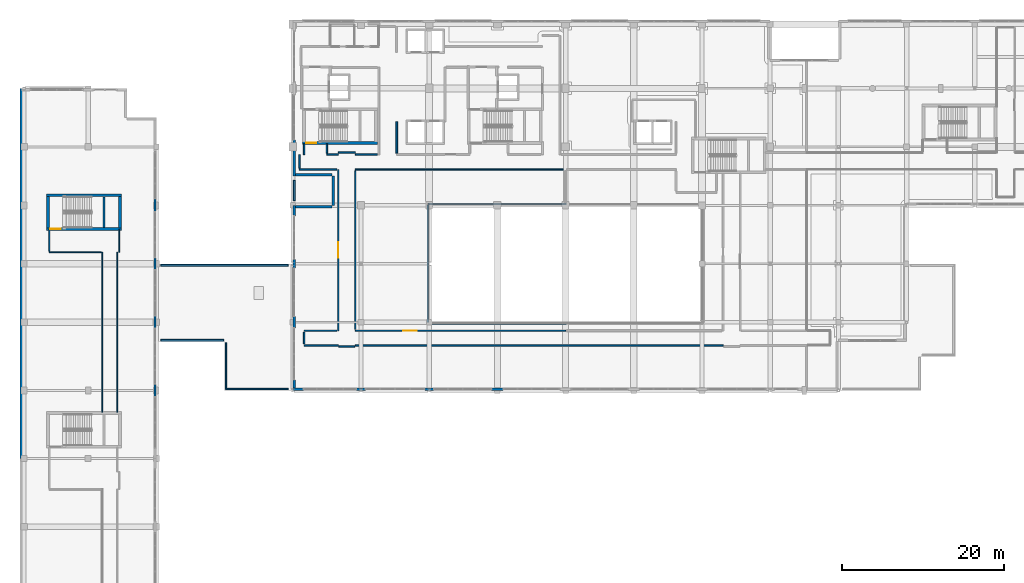
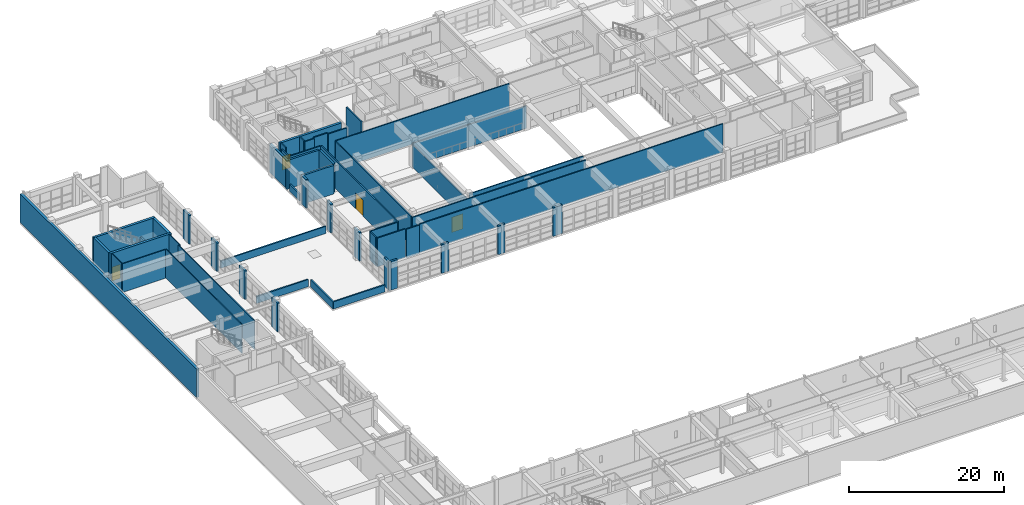
# One storey, part 107 of 123: 53 walls, 4 doors, 4 openings.
"""IFC4 building model written with IfcOpenShell, lengths in metres."""

from ifc_helpers import new_model, si_unit, direction, frame, frame_2d, origin, place, context, subcontext, project, spatial, rectangle, extrude, material, layer, layer_set, type_object, element, fill, save


model = new_model("IFC4")

# Units and contexts
model_context = context("Model", 3, precision=1e-05, world=origin(), true_north=direction((0.0, 1.0)))
body_context = subcontext(model_context, "Body", "Model", "MODEL_VIEW")
ifc_project = project(units=[si_unit("LENGTHUNIT", "METRE"), si_unit("AREAUNIT", "SQUARE_METRE"), si_unit("VOLUMEUNIT", "CUBIC_METRE"), si_unit("PLANEANGLEUNIT", "RADIAN"), si_unit("MASSUNIT", "GRAM", prefix="KILO")], contexts=[model_context])

# Site, building, storey
site_placement = place(None, origin())
site = spatial("IfcSite", under=ifc_project, at=site_placement, CompositionType="ELEMENT")
building_placement = place(site_placement, origin())
building = spatial("IfcBuilding", under=site, at=building_placement, Name="Quendrovan Civic Courthouse", CompositionType="ELEMENT")
storey_placement = place(building_placement, frame((0.0, 0.0, 5.39990234375)))
storey = spatial("IfcBuildingStorey", under=building, at=storey_placement, Name="L02", CompositionType="ELEMENT", Elevation=5.39990234375)

# Wall, opening, door
ifc_material_1 = material(Name="Fire-rated gypsum stud partition")
ifc_layer_1 = layer(ifc_material_1, 0.159912109375, Name="Fire-rated gypsum stud partition")
ifc_layer_set_1 = layer_set([ifc_layer_1], Name="Fire-rated gypsum stud partition")
wall_type_1 = type_object("IfcWallType", Name="WL-COR-160", PredefinedType="PARTITIONING", material=ifc_layer_set_1)
wall_1_placement = place(storey_placement, frame((67.199951171875, 72.14990234375, 0.0), z_axis=(0.0, 0.0, 1.0), x_axis=(-1.0, 0.0, 0.0)))
wall_1 = element("IfcWall", 1, at=wall_1_placement, inside=storey, type_object=wall_type_1, Name="L02 Family and Probate Case Registry Partition 0291", PredefinedType="PARTITIONING", context=body_context, shape_type="SweptSolid", body=[
    extrude(rectangle(XDim=25.89990234375, YDim=0.159912109375, at=frame_2d((12.949951171875, 0.0))), origin(), (0.0, 0.0, 1.0), 4.52001953125),
])
opening_1_placement = place(wall_1_placement, frame((18.345947265625, 0.0, 0.0)))
opening_1 = element("IfcOpeningElement", 2, at=opening_1_placement, cuts=wall_1, Name="Opening D-L02-049", PredefinedType="OPENING", context=body_context, shape_type="SweptSolid", body=[
    extrude(rectangle(XDim=1.639892578125, YDim=2.419921875, at=frame_2d((0.81982421875, 1.2099609375))), frame((0.0, 0.08984375, 0.0), z_axis=(0.0, -1.0, 0.0), x_axis=(1.0, 0.0, 0.0)), (0.0, 0.0, 1.0), 0.179931640625),
])
ifc_material_2 = material(Name="Bronze-anodised aluminium glazed door", Category="aluminium")
door_type_1 = type_object("IfcDoorType", Name="DR-REG-1640", OperationType="NOTDEFINED", PredefinedType="DOOR", material=ifc_material_2)
door_1_placement = place(opening_1_placement, origin())
door_1 = element("IfcDoor", 3, at=door_1_placement, inside=storey, type_object=door_type_1, Name="L02 Family and Probate Case Registry Door D-L02-049", OperationType="SINGLE_SWING_RIGHT", OverallHeight=2.419921875, OverallWidth=1.639892578125, PredefinedType="DOOR", context=body_context, shape_type="SweptSolid", body=[
    extrude(rectangle(XDim=1.639892578125, YDim=2.419921875, at=frame_2d((0.81982421875, 1.2099609375))), frame((0.0, 0.02490234375, 0.0), z_axis=(0.0, -1.0, 0.0), x_axis=(1.0, 0.0, 0.0)), (0.0, 0.0, 1.0), 0.050048828125),
])
fill(opening_1, door_1)

# Walls
wall_2_placement = place(storey_placement, frame((41.300048828125, 92.0, 0.0), z_axis=(0.0, 0.0, 1.0), x_axis=(1.0, 0.0, 0.0)))
element("IfcWall", 4, at=wall_2_placement, inside=storey, type_object=wall_type_1, Name="L02 Family and Probate Case Registry Partition 0292", PredefinedType="PARTITIONING", context=body_context, shape_type="SweptSolid", body=[
    extrude(rectangle(XDim=25.89990234375, YDim=0.159912109375, at=frame_2d((12.949951171875, 0.0))), origin(), (0.0, 0.0, 1.0), 4.52001953125),
])
wall_3_placement = place(storey_placement, frame((41.300048828125, 72.31005859375, 0.0), z_axis=(0.0, 0.0, 1.0), x_axis=(0.0, 1.0, 0.0)))
element("IfcWall", 5, at=wall_3_placement, inside=storey, type_object=wall_type_1, Name="L02 Family and Probate Case Registry Partition 0305", PredefinedType="PARTITIONING", context=body_context, shape_type="SweptSolid", body=[
    extrude(rectangle(XDim=19.530029296875, YDim=0.159912109375, at=frame_2d((9.76513671875, 0.0))), origin(), (0.0, 0.0, 1.0), 4.52001953125),
])
wall_4_placement = place(storey_placement, frame((67.300048828125, 87.760009765625, 0.0), z_axis=(0.0, 0.0, 1.0), x_axis=(-1.0, 0.0, 0.0)))
element("IfcWall", 6, at=wall_4_placement, inside=storey, type_object=wall_type_1, Name="L02 Family and Probate Case Registry Partition 0311", PredefinedType="PARTITIONING", context=body_context, shape_type="SweptSolid", body=[
    extrude(rectangle(XDim=17.0, YDim=0.159912109375, at=frame_2d((8.5, 0.0))), origin(), (0.0, 0.0, 1.0), 3.550048828125),
])
wall_5_placement = place(storey_placement, frame((50.300048828125, 73.0400390625, 0.0), z_axis=(0.0, 0.0, 1.0), x_axis=(1.0, 0.0, 0.0)))
element("IfcWall", 7, at=wall_5_placement, inside=storey, type_object=wall_type_1, Name="L02 Family and Probate Case Registry Partition 0312", PredefinedType="PARTITIONING", context=body_context, shape_type="SweptSolid", body=[
    extrude(rectangle(XDim=17.0, YDim=0.159912109375, at=frame_2d((8.5, 0.0))), origin(), (0.0, 0.0, 1.0), 4.52001953125),
])
wall_6_placement = place(storey_placement, frame((50.239990234375, 87.61181640625, 0.0), z_axis=(0.0, 0.0, 1.0), x_axis=(0.0, -1.0, 0.0)))
element("IfcWall", 8, at=wall_6_placement, inside=storey, type_object=wall_type_1, Name="L02 Family and Probate Case Registry Partition 0321", PredefinedType="PARTITIONING", context=body_context, shape_type="SweptSolid", body=[
    extrude(rectangle(XDim=14.423583984375, YDim=0.159912109375, at=frame_2d((7.2119140625, 0.0))), origin(), (0.0, 0.0, 1.0), 3.550048828125),
])

# Wall, opening, door
ifc_material_3 = material(Name="Concrete C45/55", Category="concrete")
ifc_layer_2 = layer(ifc_material_3, 0.35009765625, Name="Concrete C45/55")
ifc_layer_set_2 = layer_set([ifc_layer_2], Name="Concrete C45/55")
wall_type_2 = type_object("IfcWallType", Name="WL-CORE-350", PredefinedType="SHEAR", material=ifc_layer_set_2)
wall_7_placement = place(storey_placement, frame((34.7900390625, 95.264892578125, 0.0), z_axis=(0.0, 0.0, 1.0), x_axis=(1.0, 0.0, 0.0)))
wall_7 = element("IfcWall", 9, at=wall_7_placement, inside=storey, type_object=wall_type_2, Name="L02 Core Shear Wall ST1-S", PredefinedType="SHEAR", context=body_context, shape_type="SweptSolid", body=[
    extrude(rectangle(XDim=9.219970703125, YDim=0.35009765625, at=frame_2d((4.60986328125, 0.0))), origin(), (0.0, 0.0, 1.0), 4.52001953125),
])
opening_2_placement = place(wall_7_placement, frame((0.449951171875, 0.0, 0.0)))
opening_2 = element("IfcOpeningElement", 10, at=opening_2_placement, cuts=wall_7, Name="Opening DS-ST1-L02", PredefinedType="OPENING", context=body_context, shape_type="SweptSolid", body=[
    extrude(rectangle(XDim=1.25, YDim=2.199951171875, at=frame_2d((0.625, 1.10009765625))), frame((0.0, 0.18505859375, 0.0), z_axis=(0.0, -1.0, 0.0), x_axis=(1.0, 0.0, 0.0)), (0.0, 0.0, 1.0), 0.3701171875),
])
ifc_material_4 = material(Name="Painted galvanized hollow-metal steel", Category="steel")
door_type_2 = type_object("IfcDoorType", Name="DR-STAIR-1250", OperationType="NOTDEFINED", PredefinedType="DOOR", material=ifc_material_4)
door_2_placement = place(opening_2_placement, origin())
door_2 = element("IfcDoor", 11, at=door_2_placement, inside=storey, type_object=door_type_2, Name="L02 Exit Stair ST1 Fire Door", OperationType="SINGLE_SWING_RIGHT", OverallHeight=2.199951171875, OverallWidth=1.25, PredefinedType="DOOR", context=body_context, shape_type="SweptSolid", body=[
    extrude(rectangle(XDim=1.25, YDim=2.199951171875, at=frame_2d((0.625, 1.10009765625))), frame((0.0, 0.02490234375, 0.0), z_axis=(0.0, -1.0, 0.0), x_axis=(1.0, 0.0, 0.0)), (0.0, 0.0, 1.0), 0.050048828125),
])
fill(opening_2, door_2)

wall_8_placement = place(storey_placement, frame((3.2900390625, 84.6650390625, 0.0), z_axis=(0.0, 0.0, 1.0), x_axis=(1.0, 0.0, 0.0)))
wall_8 = element("IfcWall", 12, at=wall_8_placement, inside=storey, type_object=wall_type_2, Name="L02 Core Shear Wall ST8-S", PredefinedType="SHEAR", context=body_context, shape_type="SweptSolid", body=[
    extrude(rectangle(XDim=9.219970703125, YDim=0.35009765625, at=frame_2d((4.60986328125, 0.0))), origin(), (0.0, 0.0, 1.0), 4.52001953125),
])
opening_3_placement = place(wall_8_placement, frame((0.449951171875, 0.0, 0.0)))
opening_3 = element("IfcOpeningElement", 13, at=opening_3_placement, cuts=wall_8, Name="Opening DS-ST8-L02", PredefinedType="OPENING", context=body_context, shape_type="SweptSolid", body=[
    extrude(rectangle(XDim=1.25, YDim=2.199951171875, at=frame_2d((0.625, 1.10009765625))), frame((0.0, 0.18505859375, 0.0), z_axis=(0.0, -1.0, 0.0), x_axis=(1.0, 0.0, 0.0)), (0.0, 0.0, 1.0), 0.3701171875),
])
door_3_placement = place(opening_3_placement, origin())
door_3 = element("IfcDoor", 14, at=door_3_placement, inside=storey, type_object=door_type_2, Name="L02 Exit Stair ST8 Fire Door", OperationType="SINGLE_SWING_LEFT", OverallHeight=2.199951171875, OverallWidth=1.25, PredefinedType="DOOR", context=body_context, shape_type="SweptSolid", body=[
    extrude(rectangle(XDim=1.25, YDim=2.199951171875, at=frame_2d((0.625, 1.10009765625))), frame((0.0, 0.02490234375, 0.0), z_axis=(0.0, -1.0, 0.0), x_axis=(1.0, 0.0, 0.0)), (0.0, 0.0, 1.0), 0.050048828125),
])
fill(opening_3, door_3)

# Walls
wall_9_placement = place(storey_placement, frame((12.510009765625, 88.8349609375, 0.0), z_axis=(0.0, 0.0, 1.0), x_axis=(-1.0, 0.0, 0.0)))
element("IfcWall", 15, at=wall_9_placement, inside=storey, type_object=wall_type_2, Name="L02 Core Shear Wall ST8-N", PredefinedType="SHEAR", context=body_context, shape_type="SweptSolid", body=[
    extrude(rectangle(XDim=9.219970703125, YDim=0.35009765625, at=frame_2d((4.60986328125, 0.0))), origin(), (0.0, 0.0, 1.0), 4.52001953125),
])
for number, where, z_axis, x_axis, name in (
    (16, (3.465087890625, 84.800048828125, 0.0), (0.0, 0.0, 1.0), (0.0, 1.0, 0.0), "L02 Core Shear Wall ST8-W"),
    (17, (12.3349609375, 88.699951171875, 0.0), (0.0, 0.0, 1.0), (0.0, -1.0, 0.0), "L02 Core Shear Wall ST8-E"),
):
    element("IfcWall", number, at=place(storey_placement, frame(where, z_axis=z_axis, x_axis=x_axis)), inside=storey, type_object=wall_type_2, Name=name, PredefinedType="SHEAR", context=body_context, shape_type="SweptSolid", body=[
        extrude(rectangle(XDim=3.89990234375, YDim=0.35009765625, at=frame_2d((1.949951171875, 0.0))), origin(), (0.0, 0.0, 1.0), 4.52001953125),
    ])
ifc_material_5 = material(Name="Acoustic gypsum and mineral wool partition")
ifc_layer_3 = layer(ifc_material_5, 0.179931640625, Name="Acoustic gypsum and mineral wool partition")
ifc_layer_set_3 = layer_set([ifc_layer_3], Name="Acoustic gypsum and mineral wool partition")
wall_type_3 = type_object("IfcWallType", Name="WL-CRT-AC180", PredefinedType="PARTITIONING", material=ifc_layer_set_3)
wall_10_placement = place(storey_placement, frame((41.300048828125, 70.35009765625, 0.0), z_axis=(0.0, 0.0, 1.0), x_axis=(1.0, 0.0, 0.0)))
element("IfcWall", 18, at=wall_10_placement, inside=storey, type_object=wall_type_3, Name="L02 Trial Courtroom Partition 0289", PredefinedType="PARTITIONING", context=body_context, shape_type="SweptSolid", body=[
    extrude(rectangle(XDim=45.300048828125, YDim=0.179931640625, at=frame_2d((22.64990234375, 0.0))), origin(), (0.0, 0.0, 1.0), 4.52001953125),
])

# Wall, opening, door
wall_11_placement = place(storey_placement, frame((39.199951171875, 92.0, 0.0), z_axis=(0.0, 0.0, 1.0), x_axis=(0.0, -1.0, 0.0)))
wall_11 = element("IfcWall", 19, at=wall_11_placement, inside=storey, type_object=wall_type_3, Name="L02 Trial Courtroom Partition 0303", PredefinedType="PARTITIONING", context=body_context, shape_type="SweptSolid", body=[
    extrude(rectangle(XDim=19.85009765625, YDim=0.179931640625, at=frame_2d((9.925048828125, 0.0))), origin(), (0.0, 0.0, 1.0), 4.52001953125),
])
opening_4_placement = place(wall_11_placement, frame((8.965087890625, 0.0, 0.0)))
opening_4 = element("IfcOpeningElement", 20, at=opening_4_placement, cuts=wall_11, Name="Opening D-L02-047", PredefinedType="OPENING", context=body_context, shape_type="SweptSolid", body=[
    extrude(rectangle(XDim=1.919921875, YDim=2.550048828125, at=frame_2d((0.9599609375, 1.27490234375))), frame((0.0, 0.10009765625, 0.0), z_axis=(0.0, -1.0, 0.0), x_axis=(1.0, 0.0, 0.0)), (0.0, 0.0, 1.0), 0.199951171875),
])
ifc_material_6 = material(Name="Acoustic solid Western Red Cedar timber door", Category="wood")
door_type_3 = type_object("IfcDoorType", Name="DR-CRT-DBL1920", OperationType="NOTDEFINED", PredefinedType="DOOR", material=ifc_material_6)
door_4_placement = place(opening_4_placement, origin())
door_4 = element("IfcDoor", 21, at=door_4_placement, inside=storey, type_object=door_type_3, Name="L02 Trial Courtroom Door D-L02-047", OperationType="SINGLE_SWING_RIGHT", OverallHeight=2.550048828125, OverallWidth=1.919921875, PredefinedType="DOOR", context=body_context, shape_type="SweptSolid", body=[
    extrude(rectangle(XDim=1.919921875, YDim=2.550048828125, at=frame_2d((0.9599609375, 1.27490234375))), frame((0.0, 0.02490234375, 0.0), z_axis=(0.0, -1.0, 0.0), x_axis=(1.0, 0.0, 0.0)), (0.0, 0.0, 1.0), 0.050048828125),
])
fill(opening_4, door_4)

# Walls
wall_12_placement = place(storey_placement, frame((34.39990234375, 92.0, 0.0), z_axis=(0.0, 0.0, 1.0), x_axis=(1.0, 0.0, 0.0)))
element("IfcWall", 22, at=wall_12_placement, inside=storey, type_object=wall_type_3, Name="L02 Trial Courtroom Partition 0358", PredefinedType="PARTITIONING", context=body_context, shape_type="SweptSolid", body=[
    extrude(rectangle(XDim=4.630126953125, YDim=0.179931640625, at=frame_2d((2.31494140625, 0.0))), origin(), (0.0, 0.0, 1.0), 4.52001953125),
])
wall_13_placement = place(storey_placement, frame((39.030029296875, 72.14990234375, 0.0), z_axis=(0.0, 0.0, 1.0), x_axis=(-1.0, 0.0, 0.0)))
element("IfcWall", 23, at=wall_13_placement, inside=storey, type_object=wall_type_3, Name="L02 Trial Courtroom Partition 0366", PredefinedType="PARTITIONING", context=body_context, shape_type="SweptSolid", body=[
    extrude(rectangle(XDim=4.030029296875, YDim=0.179931640625, at=frame_2d((2.01513671875, 0.0))), origin(), (0.0, 0.0, 1.0), 4.52001953125),
])
wall_14_placement = place(storey_placement, frame((35.0, 70.35009765625, 0.0), z_axis=(0.0, 0.0, 1.0), x_axis=(1.0, 0.0, 0.0)))
element("IfcWall", 24, at=wall_14_placement, inside=storey, type_object=wall_type_3, Name="L02 Trial Courtroom Partition 0367", PredefinedType="PARTITIONING", context=body_context, shape_type="SweptSolid", body=[
    extrude(rectangle(XDim=4.199951171875, YDim=0.179931640625, at=frame_2d((2.10009765625, 0.0))), origin(), (0.0, 0.0, 1.0), 4.52001953125),
])
wall_15_placement = place(storey_placement, frame((44.030029296875, 93.85009765625, 0.0), z_axis=(0.0, 0.0, 1.0), x_axis=(-1.0, 0.0, 0.0)))
element("IfcWall", 25, at=wall_15_placement, inside=storey, type_object=wall_type_3, Name="L02 Trial Courtroom Partition 0379", PredefinedType="PARTITIONING", context=body_context, shape_type="SweptSolid", body=[
    extrude(rectangle(XDim=2.72998046875, YDim=0.179931640625, at=frame_2d((1.364990234375, 0.0))), origin(), (0.0, 0.0, 1.0), 4.52001953125),
])
wall_16_placement = place(storey_placement, frame((41.300048828125, 94.10009765625, 0.0), z_axis=(0.0, 0.0, 1.0), x_axis=(-1.0, 0.0, 0.0)))
element("IfcWall", 26, at=wall_16_placement, inside=storey, type_object=wall_type_3, Name="L02 Trial Courtroom Partition 0404", PredefinedType="PARTITIONING", context=body_context, shape_type="SweptSolid", body=[
    extrude(rectangle(XDim=2.10009765625, YDim=0.179931640625, at=frame_2d((1.050048828125, 0.0))), origin(), (0.0, 0.0, 1.0), 4.52001953125),
])
wall_17_placement = place(storey_placement, frame((39.280029296875, 70.199951171875, 0.0), z_axis=(0.0, 0.0, 1.0), x_axis=(1.0, 0.0, 0.0)))
element("IfcWall", 27, at=wall_17_placement, inside=storey, type_object=wall_type_3, Name="L02 Trial Courtroom Partition 0405", PredefinedType="PARTITIONING", context=body_context, shape_type="SweptSolid", body=[
    extrude(rectangle(XDim=1.93994140625, YDim=0.179931640625, at=frame_2d((0.969970703125, 0.0))), origin(), (0.0, 0.0, 1.0), 4.52001953125),
])
wall_18_placement = place(storey_placement, frame((34.39990234375, 93.85009765625, 0.0), z_axis=(0.0, 0.0, 1.0), x_axis=(0.0, -1.0, 0.0)))
element("IfcWall", 28, at=wall_18_placement, inside=storey, type_object=wall_type_3, Name="L02 Trial Courtroom Partition 0409", PredefinedType="PARTITIONING", context=body_context, shape_type="SweptSolid", body=[
    extrude(rectangle(XDim=1.68017578125, YDim=0.179931640625, at=frame_2d((0.840087890625, 0.0))), origin(), (0.0, 0.0, 1.0), 4.52001953125),
])
wall_19_placement = place(storey_placement, frame((35.0, 71.97998046875, 0.0), z_axis=(0.0, 0.0, 1.0), x_axis=(0.0, -1.0, 0.0)))
element("IfcWall", 29, at=wall_19_placement, inside=storey, type_object=wall_type_3, Name="L02 Trial Courtroom Partition 0410", PredefinedType="PARTITIONING", context=body_context, shape_type="SweptSolid", body=[
    extrude(rectangle(XDim=1.4599609375, YDim=0.179931640625, at=frame_2d((0.72998046875, 0.0))), origin(), (0.0, 0.0, 1.0), 4.52001953125),
])
wall_20_placement = place(storey_placement, frame((39.199951171875, 93.85009765625, 0.0), z_axis=(0.0, 0.0, 1.0), x_axis=(-1.0, 0.0, 0.0)))
element("IfcWall", 30, at=wall_20_placement, inside=storey, type_object=wall_type_3, Name="L02 Trial Courtroom Partition 0414", PredefinedType="PARTITIONING", context=body_context, shape_type="SweptSolid", body=[
    extrude(rectangle(XDim=1.39990234375, YDim=0.179931640625, at=frame_2d((0.699951171875, 0.0))), origin(), (0.0, 0.0, 1.0), 4.52001953125),
])
wall_21_placement = place(storey_placement, frame((37.800048828125, 94.02001953125, 0.0), z_axis=(0.0, 0.0, 1.0), x_axis=(0.0, 1.0, 0.0)))
element("IfcWall", 31, at=wall_21_placement, inside=storey, type_object=wall_type_3, Name="L02 Trial Courtroom Partition 0415", PredefinedType="PARTITIONING", context=body_context, shape_type="SweptSolid", body=[
    extrude(rectangle(XDim=1.159912109375, YDim=0.179931640625, at=frame_2d((0.580078125, 0.0))), origin(), (0.0, 0.0, 1.0), 4.52001953125),
])
wall_22_placement = place(storey_placement, frame((35.0, 95.179931640625, 0.0), z_axis=(0.0, 0.0, 1.0), x_axis=(0.0, -1.0, 0.0)))
element("IfcWall", 32, at=wall_22_placement, inside=storey, type_object=wall_type_3, Name="L02 Trial Courtroom Partition 0416", PredefinedType="PARTITIONING", context=body_context, shape_type="SweptSolid", body=[
    extrude(rectangle(XDim=1.329833984375, YDim=0.179931640625, at=frame_2d((0.6650390625, 0.0))), origin(), (0.0, 0.0, 1.0), 4.52001953125),
])
ifc_material_7 = material(Name="Concrete C40/50", Category="concrete")
ifc_layer_4 = layer(ifc_material_7, 0.199951171875, Name="Concrete C40/50")
ifc_layer_set_4 = layer_set([ifc_layer_4], Name="Concrete C40/50")
wall_type_4 = type_object("IfcWallType", Name="WL-CUST-200", PredefinedType="PARTITIONING", material=ifc_layer_set_4)
wall_23_placement = place(storey_placement, frame((46.39990234375, 94.030029296875, 0.0), z_axis=(0.0, 0.0, 1.0), x_axis=(0.0, 1.0, 0.0)))
element("IfcWall", 33, at=wall_23_placement, inside=storey, type_object=wall_type_4, Name="L02 Civil Case Docketing Office Partition 0369", PredefinedType="PARTITIONING", context=body_context, shape_type="SweptSolid", body=[
    extrude(rectangle(XDim=3.869873046875, YDim=0.199951171875, at=frame_2d((1.93505859375, 0.0))), origin(), (0.0, 0.0, 1.0), 4.52001953125),
])
ifc_material_8 = material(Name="Precast concrete C45/55", Category="concrete")
ifc_layer_5 = layer(ifc_material_8, 0.2900390625, Name="Precast concrete C45/55")
ifc_layer_set_5 = layer_set([ifc_layer_5], Name="Precast concrete C45/55")
wall_type_5 = type_object("IfcWallType", Name="WL-EXT-PC290", PredefinedType="SOLIDWALL", material=ifc_layer_set_5)
wall_24_placement = place(storey_placement, frame((16.635009765625, 88.375, 0.0), z_axis=(0.0, 0.0, 1.0), x_axis=(0.0, -1.0, 0.0)))
element("IfcWall", 34, at=wall_24_placement, inside=storey, type_object=wall_type_5, Name="L02 Exterior Pier Wall 172", PredefinedType="SOLIDWALL", context=body_context, shape_type="SweptSolid", body=[
    extrude(rectangle(XDim=1.550048828125, YDim=0.2900390625, at=frame_2d((0.77490234375, 0.0))), origin(), (0.0, 0.0, 1.0), 4.52001953125),
])
wall_25_placement = place(storey_placement, frame((16.635009765625, 81.125, 0.0), z_axis=(0.0, 0.0, 1.0), x_axis=(0.0, -1.0, 0.0)))
element("IfcWall", 35, at=wall_25_placement, inside=storey, type_object=wall_type_5, Name="L02 Exterior Pier Wall 173", PredefinedType="SOLIDWALL", context=body_context, shape_type="SweptSolid", body=[
    extrude(rectangle(XDim=1.449951171875, YDim=0.2900390625, at=frame_2d((0.72509765625, 0.0))), origin(), (0.0, 0.0, 1.0), 4.52001953125),
])
wall_26_placement = place(storey_placement, frame((16.635009765625, 73.949951171875, 0.0), z_axis=(0.0, 0.0, 1.0), x_axis=(0.0, -1.0, 0.0)))
element("IfcWall", 36, at=wall_26_placement, inside=storey, type_object=wall_type_5, Name="L02 Exterior Pier Wall 174", PredefinedType="SOLIDWALL", context=body_context, shape_type="SweptSolid", body=[
    extrude(rectangle(XDim=1.5, YDim=0.2900390625, at=frame_2d((0.75, 0.0))), origin(), (0.0, 0.0, 1.0), 4.52001953125),
])
wall_27_placement = place(storey_placement, frame((16.635009765625, 65.574951171875, 0.0), z_axis=(0.0, 0.0, 1.0), x_axis=(0.0, -1.0, 0.0)))
element("IfcWall", 37, at=wall_27_placement, inside=storey, type_object=wall_type_5, Name="L02 Exterior Pier Wall 175", PredefinedType="SOLIDWALL", context=body_context, shape_type="SweptSolid", body=[
    extrude(rectangle(XDim=1.550048828125, YDim=0.2900390625, at=frame_2d((0.77490234375, 0.0))), origin(), (0.0, 0.0, 1.0), 4.52001953125),
])
wall_28_placement = place(storey_placement, frame((38.39990234375, 91.364990234375, 0.0), z_axis=(0.0, 0.0, 1.0), x_axis=(-1.0, 0.0, 0.0)))
element("IfcWall", 38, at=wall_28_placement, inside=storey, type_object=wall_type_5, Name="L02 Exterior Civic Portal Wall 198", PredefinedType="SOLIDWALL", context=body_context, shape_type="SweptSolid", body=[
    extrude(rectangle(XDim=4.7998046875, YDim=0.2900390625, at=frame_2d((2.39990234375, 0.0))), origin(), (0.0, 0.0, 1.0), 4.52001953125),
])
wall_29_placement = place(storey_placement, frame((33.764892578125, 91.199951171875, 0.0), z_axis=(0.0, 0.0, 1.0), x_axis=(0.0, 1.0, 0.0)))
element("IfcWall", 39, at=wall_29_placement, inside=storey, type_object=wall_type_5, Name="L02 Exterior Pier Wall 199", PredefinedType="SOLIDWALL", context=body_context, shape_type="SweptSolid", body=[
    extrude(rectangle(XDim=4.47509765625, YDim=0.2900390625, at=frame_2d((2.237548828125, 0.0))), origin(), (0.0, 0.0, 1.0), 4.52001953125),
])
wall_30_placement = place(storey_placement, frame((59.5, 64.965087890625, 0.0), z_axis=(0.0, 0.0, 1.0), x_axis=(-1.0, 0.0, 0.0)))
element("IfcWall", 40, at=wall_30_placement, inside=storey, type_object=wall_type_5, Name="L02 Exterior Pier Wall 242", PredefinedType="SOLIDWALL", context=body_context, shape_type="SweptSolid", body=[
    extrude(rectangle(XDim=1.39990234375, YDim=0.2900390625, at=frame_2d((0.699951171875, 0.0))), origin(), (0.0, 0.0, 1.0), 4.52001953125),
])
wall_31_placement = place(storey_placement, frame((50.93701171875, 64.965087890625, 0.0), z_axis=(0.0, 0.0, 1.0), x_axis=(-1.0, 0.0, 0.0)))
element("IfcWall", 41, at=wall_31_placement, inside=storey, type_object=wall_type_5, Name="L02 Exterior Pier Wall 243", PredefinedType="SOLIDWALL", context=body_context, shape_type="SweptSolid", body=[
    extrude(rectangle(XDim=1.073974609375, YDim=0.2900390625, at=frame_2d((0.537109375, 0.0))), origin(), (0.0, 0.0, 1.0), 4.52001953125),
])
wall_32_placement = place(storey_placement, frame((42.537109375, 64.965087890625, 0.0), z_axis=(0.0, 0.0, 1.0), x_axis=(-1.0, 0.0, 0.0)))
element("IfcWall", 42, at=wall_32_placement, inside=storey, type_object=wall_type_5, Name="L02 Exterior Pier Wall 244", PredefinedType="SOLIDWALL", context=body_context, shape_type="SweptSolid", body=[
    extrude(rectangle(XDim=1.07421875, YDim=0.2900390625, at=frame_2d((0.537109375, 0.0))), origin(), (0.0, 0.0, 1.0), 4.52001953125),
])
wall_33_placement = place(storey_placement, frame((34.89990234375, 64.965087890625, 0.0), z_axis=(0.0, 0.0, 1.0), x_axis=(-1.0, 0.0, 0.0)))
element("IfcWall", 43, at=wall_33_placement, inside=storey, type_object=wall_type_5, Name="L02 Exterior Pier Wall 245", PredefinedType="SOLIDWALL", context=body_context, shape_type="SweptSolid", body=[
    extrude(rectangle(XDim=1.2998046875, YDim=0.2900390625, at=frame_2d((0.64990234375, 0.0))), origin(), (0.0, 0.0, 1.0), 4.52001953125),
])
wall_34_placement = place(storey_placement, frame((33.764892578125, 64.800048828125, 0.0), z_axis=(0.0, 0.0, 1.0), x_axis=(0.0, 1.0, 0.0)))
element("IfcWall", 44, at=wall_34_placement, inside=storey, type_object=wall_type_5, Name="L02 Exterior Pier Wall 246", PredefinedType="SOLIDWALL", context=body_context, shape_type="SweptSolid", body=[
    extrude(rectangle(XDim=1.300048828125, YDim=0.2900390625, at=frame_2d((0.64990234375, 0.0))), origin(), (0.0, 0.0, 1.0), 4.52001953125),
])
wall_35_placement = place(storey_placement, frame((33.764892578125, 72.5, 0.0), z_axis=(0.0, 0.0, 1.0), x_axis=(0.0, 1.0, 0.0)))
element("IfcWall", 45, at=wall_35_placement, inside=storey, type_object=wall_type_5, Name="L02 Exterior Pier Wall 247", PredefinedType="SOLIDWALL", context=body_context, shape_type="SweptSolid", body=[
    extrude(rectangle(XDim=1.39990234375, YDim=0.2900390625, at=frame_2d((0.699951171875, 0.0))), origin(), (0.0, 0.0, 1.0), 4.52001953125),
])
wall_36_placement = place(storey_placement, frame((33.764892578125, 79.863037109375, 0.0), z_axis=(0.0, 0.0, 1.0), x_axis=(0.0, 1.0, 0.0)))
element("IfcWall", 46, at=wall_36_placement, inside=storey, type_object=wall_type_5, Name="L02 Exterior Pier Wall 248", PredefinedType="SOLIDWALL", context=body_context, shape_type="SweptSolid", body=[
    extrude(rectangle(XDim=1.073974609375, YDim=0.2900390625, at=frame_2d((0.537109375, 0.0))), origin(), (0.0, 0.0, 1.0), 4.52001953125),
])
wall_37_placement = place(storey_placement, frame((33.764892578125, 86.300048828125, 0.0), z_axis=(0.0, 0.0, 1.0), x_axis=(0.0, 1.0, 0.0)))
element("IfcWall", 47, at=wall_37_placement, inside=storey, type_object=wall_type_5, Name="L02 Exterior Pier Wall 249", PredefinedType="SOLIDWALL", context=body_context, shape_type="SweptSolid", body=[
    extrude(rectangle(XDim=1.300048828125, YDim=0.2900390625, at=frame_2d((0.64990234375, 0.0))), origin(), (0.0, 0.0, 1.0), 4.52001953125),
])
wall_38_placement = place(storey_placement, frame((33.60009765625, 87.43505859375, 0.0), z_axis=(0.0, 0.0, 1.0), x_axis=(1.0, 0.0, 0.0)))
element("IfcWall", 48, at=wall_38_placement, inside=storey, type_object=wall_type_5, Name="L02 Exterior Civic Portal Wall 250", PredefinedType="SOLIDWALL", context=body_context, shape_type="SweptSolid", body=[
    extrude(rectangle(XDim=4.7998046875, YDim=0.2900390625, at=frame_2d((2.39990234375, 0.0))), origin(), (0.0, 0.0, 1.0), 4.52001953125),
])
wall_39_placement = place(storey_placement, frame((38.56494140625, 87.60009765625, 0.0), z_axis=(0.0, 0.0, 1.0), x_axis=(0.0, 1.0, 0.0)))
element("IfcWall", 49, at=wall_39_placement, inside=storey, type_object=wall_type_5, Name="L02 Exterior Civic Portal Wall 251", PredefinedType="SOLIDWALL", context=body_context, shape_type="SweptSolid", body=[
    extrude(rectangle(XDim=3.599853515625, YDim=0.2900390625, at=frame_2d((1.7998046875, 0.0))), origin(), (0.0, 0.0, 1.0), 4.52001953125),
])
ifc_layer_6 = layer(ifc_material_8, 0.2099609375, Name="Precast concrete C45/55")
ifc_layer_set_6 = layer_set([ifc_layer_6], Name="Precast concrete C45/55")
wall_type_6 = type_object("IfcWallType", Name="WL-PARAPET-210", PredefinedType="PARAPET", material=ifc_layer_set_6)
wall_40_placement = place(storey_placement, frame((25.080078125, 70.97998046875, 0.0), z_axis=(0.0, 0.0, 1.0), x_axis=(-1.0, 0.0, 0.0)))
element("IfcWall", 50, at=wall_40_placement, inside=storey, type_object=wall_type_6, Name="L02 Precast Roof Parapet Wall 12", PredefinedType="PARAPET", context=body_context, shape_type="SweptSolid", body=[
    extrude(rectangle(XDim=7.739990234375, YDim=0.2099609375, at=frame_2d((3.8701171875, 0.0))), origin(), (0.0, 0.0, 1.0), 1.1201171875),
])
wall_41_placement = place(storey_placement, frame((17.340087890625, 80.219970703125, 0.0), z_axis=(0.0, 0.0, 1.0), x_axis=(1.0, 0.0, 0.0)))
element("IfcWall", 51, at=wall_41_placement, inside=storey, type_object=wall_type_6, Name="L02 Precast Roof Parapet Wall 13", PredefinedType="PARAPET", context=body_context, shape_type="SweptSolid", body=[
    extrude(rectangle(XDim=15.719970703125, YDim=0.2099609375, at=frame_2d((7.85986328125, 0.0))), origin(), (0.0, 0.0, 1.0), 1.1201171875),
])
wall_42_placement = place(storey_placement, frame((33.06005859375, 64.97998046875, 0.0), z_axis=(0.0, 0.0, 1.0), x_axis=(-1.0, 0.0, 0.0)))
element("IfcWall", 52, at=wall_42_placement, inside=storey, type_object=wall_type_6, Name="L02 Precast Roof Parapet Wall 14", PredefinedType="PARAPET", context=body_context, shape_type="SweptSolid", body=[
    extrude(rectangle(XDim=7.739990234375, YDim=0.2099609375, at=frame_2d((3.8701171875, 0.0))), origin(), (0.0, 0.0, 1.0), 1.1201171875),
])
wall_43_placement = place(storey_placement, frame((25.3798828125, 64.919921875, 0.0), z_axis=(0.0, 0.0, 1.0), x_axis=(0.0, 1.0, 0.0)))
element("IfcWall", 53, at=wall_43_placement, inside=storey, type_object=wall_type_6, Name="L02 Precast Roof Parapet Wall 15", PredefinedType="PARAPET", context=body_context, shape_type="SweptSolid", body=[
    extrude(rectangle(XDim=5.760009765625, YDim=0.2099609375, at=frame_2d((2.8798828125, 0.0))), origin(), (0.0, 0.0, 1.0), 1.1201171875),
])
wall_44_placement = place(storey_placement, frame((33.780029296875, 88.139892578125, 0.0), z_axis=(0.0, 0.0, 1.0), x_axis=(0.0, 1.0, 0.0)))
element("IfcWall", 54, at=wall_44_placement, inside=storey, type_object=wall_type_6, Name="L02 Precast Roof Parapet Wall 21", PredefinedType="PARAPET", context=body_context, shape_type="SweptSolid", body=[
    extrude(rectangle(XDim=2.52001953125, YDim=0.2099609375, at=frame_2d((1.260009765625, 0.0))), origin(), (0.0, 0.0, 1.0), 1.1201171875),
])
ifc_layer_7 = layer(ifc_material_7, 0.360107421875, Name="Concrete C40/50")
ifc_layer_set_7 = layer_set([ifc_layer_7], Name="Concrete C40/50")
wall_type_7 = type_object("IfcWallType", Name="WL-PARTY-360", PredefinedType="SOLIDWALL", material=ifc_layer_set_7)
wall_45_placement = place(storey_placement, frame((0.2099609375, 56.39990234375, 0.0), z_axis=(0.0, 0.0, 1.0), x_axis=(0.0, 1.0, 0.0)))
element("IfcWall", 55, at=wall_45_placement, inside=storey, type_object=wall_type_7, Name="L02 Fire-Rated Boundary Party Wall 165", PredefinedType="SOLIDWALL", context=body_context, shape_type="SweptSolid", body=[
    extrude(rectangle(XDim=45.60009765625, YDim=0.360107421875, at=frame_2d((22.800048828125, 0.0))), origin(), (0.0, 0.0, 1.0), 4.52001953125),
])
ifc_material_9 = material(Name="Gypsum stud partition")
ifc_layer_8 = layer(ifc_material_9, 0.1298828125, Name="Gypsum stud partition")
ifc_layer_set_8 = layer_set([ifc_layer_8], Name="Gypsum stud partition")
wall_type_8 = type_object("IfcWallType", Name="WL-REG-130", PredefinedType="PARTITIONING", material=ifc_layer_set_8)
for number, where, z_axis, x_axis, name in (
    (56, (12.0, 62.1201171875, 0.0), (0.0, 0.0, 1.0), (0.0, 1.0, 0.0), "L02 Judicial Case Administration Office Partition 0306"),
    (57, (10.14990234375, 81.800048828125, 0.0), (0.0, 0.0, 1.0), (0.0, -1.0, 0.0), "L02 Judicial Case Administration Office Partition 0307"),
):
    element("IfcWall", number, at=place(storey_placement, frame(where, z_axis=z_axis, x_axis=x_axis)), inside=storey, type_object=wall_type_8, Name=name, PredefinedType="PARTITIONING", context=body_context, shape_type="SweptSolid", body=[
        extrude(rectangle(XDim=19.679931640625, YDim=0.1298828125, at=frame_2d((9.83984375, 0.0))), origin(), (0.0, 0.0, 1.0), 4.52001953125),
    ])
wall_46_placement = place(storey_placement, frame((3.60009765625, 81.800048828125, 0.0), z_axis=(0.0, 0.0, 1.0), x_axis=(1.0, 0.0, 0.0)))
element("IfcWall", 58, at=wall_46_placement, inside=storey, type_object=wall_type_8, Name="L02 Judicial Case Administration Office Partition 0343", PredefinedType="PARTITIONING", context=body_context, shape_type="SweptSolid", body=[
    extrude(rectangle(XDim=6.40478515625, YDim=0.1298828125, at=frame_2d((3.202392578125, 0.0))), origin(), (0.0, 0.0, 1.0), 4.52001953125),
])
wall_47_placement = place(storey_placement, frame((12.199951171875, 81.800048828125, 0.0), z_axis=(0.0, 0.0, 1.0), x_axis=(0.0, 1.0, 0.0)))
element("IfcWall", 59, at=wall_47_placement, inside=storey, type_object=wall_type_8, Name="L02 Judicial Case Administration Office Partition 0389", PredefinedType="PARTITIONING", context=body_context, shape_type="SweptSolid", body=[
    extrude(rectangle(XDim=2.780029296875, YDim=0.1298828125, at=frame_2d((1.39013671875, 0.0))), origin(), (0.0, 0.0, 1.0), 4.52001953125),
])
wall_48_placement = place(storey_placement, frame((3.60009765625, 84.580078125, 0.0), z_axis=(0.0, 0.0, 1.0), x_axis=(0.0, -1.0, 0.0)))
element("IfcWall", 60, at=wall_48_placement, inside=storey, type_object=wall_type_8, Name="L02 Judicial Case Administration Office Partition 0390", PredefinedType="PARTITIONING", context=body_context, shape_type="SweptSolid", body=[
    extrude(rectangle(XDim=2.635009765625, YDim=0.1298828125, at=frame_2d((1.3173828125, 0.0))), origin(), (0.0, 0.0, 1.0), 4.52001953125),
])
ifc_layer_9 = layer(ifc_material_3, 0.25, Name="Concrete C45/55")
ifc_layer_set_9 = layer_set([ifc_layer_9], Name="Concrete C45/55")
wall_type_9 = type_object("IfcWallType", Name="WL-SHAFT-250", PredefinedType="SHEAR", material=ifc_layer_set_9)
wall_49_placement = place(storey_placement, frame((10.35009765625, 84.85009765625, 0.0), z_axis=(0.0, 0.0, 1.0), x_axis=(0.0, 1.0, 0.0)))
element("IfcWall", 61, at=wall_49_placement, inside=storey, type_object=wall_type_9, Name="L02 Stair ST8 Mid-Landing Bearing Wall", PredefinedType="SHEAR", context=body_context, shape_type="SweptSolid", body=[
    extrude(rectangle(XDim=3.7998046875, YDim=0.25, at=frame_2d((1.89990234375, 0.0))), origin(), (0.0, 0.0, 1.0), 2.22021484375),
])

save(model, "model.ifc")
